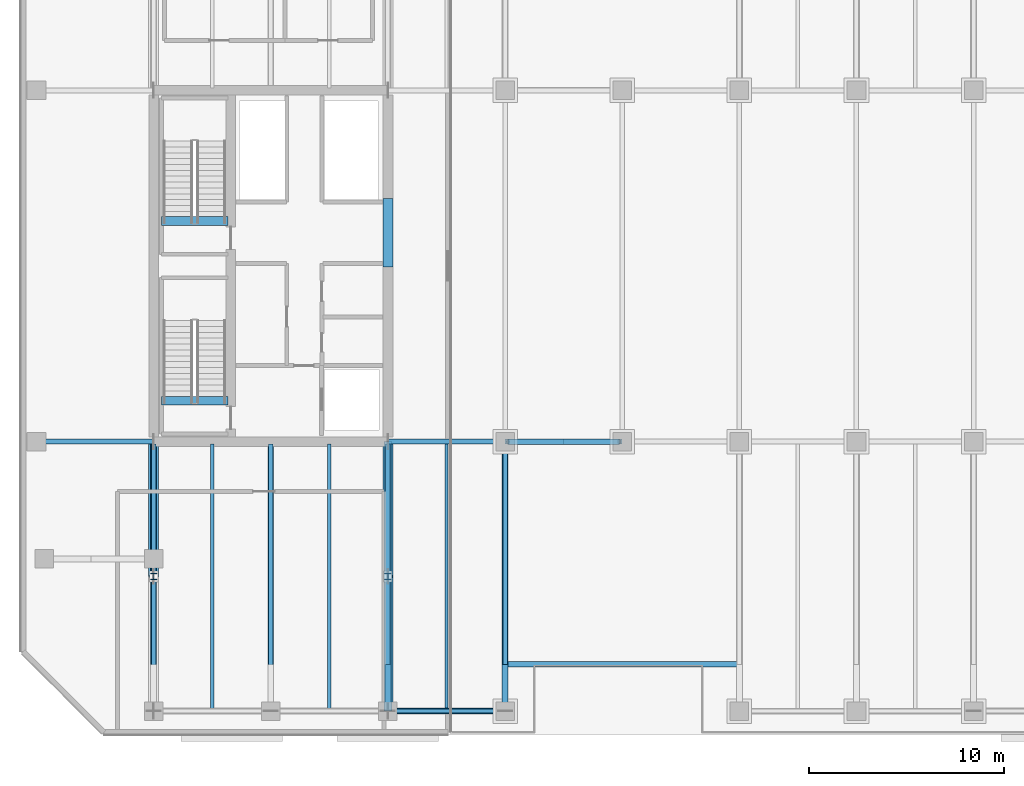
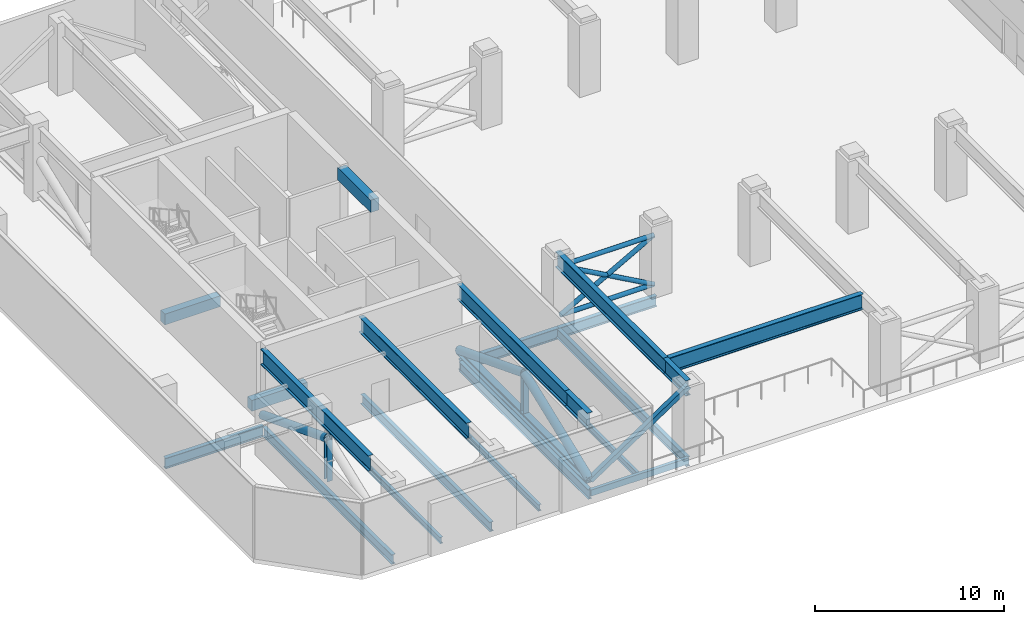
# One storey, part 2 of 21: 21 beams, 11 members.
"""IFC4 building model written with IfcOpenShell, lengths in metres."""

from ifc_helpers import new_model, si_unit, direction, frame, origin, origin_2d, place, context, subcontext, project, spatial, rectangle, hollow_rectangle, hollow_circle, i_section, extrude, material, material_profile, profile_set, type_object, element, save


model = new_model("IFC4")

# Units and contexts
model_context = context("Model", 3, precision=1e-05, world=origin(), true_north=direction((0.0, 1.0)))
body_context = subcontext(model_context, "Body", "Model", "MODEL_VIEW")
ifc_project = project(units=[si_unit("LENGTHUNIT", "METRE"), si_unit("AREAUNIT", "SQUARE_METRE"), si_unit("VOLUMEUNIT", "CUBIC_METRE"), si_unit("PLANEANGLEUNIT", "RADIAN"), si_unit("MASSUNIT", "GRAM", prefix="KILO")], contexts=[model_context])

# Site, building, storey
site_placement = place(None, origin())
site = spatial("IfcSite", under=ifc_project, at=site_placement, CompositionType="ELEMENT")
building_placement = place(site_placement, origin())
building = spatial("IfcBuilding", under=site, at=building_placement, Name="Tanjung Sevakor Pilgrim Tower", CompositionType="ELEMENT")
storey_placement = place(building_placement, frame((0.0, 0.0, 123.090087890625)))
storey = spatial("IfcBuildingStorey", under=building, at=storey_placement, Name="L34", CompositionType="ELEMENT", Elevation=123.090087890625)

# Beams
ifc_material_1 = material(Name="Steel S355J2", Category="steel")
ifc_material_profile_1 = material_profile(ifc_material_1, i_section(OverallWidth=0.25439453125, OverallDepth=0.6875, WebThickness=0.01318359375, FlangeThickness=0.02099609375, FilletRadius=0.01513671875, at=origin_2d()))
ifc_profile_set_1 = profile_set([ifc_material_profile_1], Name="Steel S355J2")
beam_type_1 = type_object("IfcBeamType", Name="BM-B-G2-UB_686x254x152", PredefinedType="BEAM", material=ifc_profile_set_1)
for number, where, z_axis, x_axis, name in (
    (1, (18.0, 24.60009765625, -0.623779296875), (1.0, 0.0, 0.0), (0.0, 1.0, 0.0), "L34 Primary Floor Girder MAIN Y246-01"),
    (2, (36.0, 24.60009765625, -0.623779296875), (1.0, 0.0, 0.0), (0.0, 1.0, 0.0), "L34 Primary Floor Girder MAIN Y246-02"),
    (3, (42.0, 24.60009765625, -0.623779296875), (1.0, 0.0, 0.0), (0.0, 1.0, 0.0), "L34 Primary Floor Girder MAIN Y246-03"),
):
    element("IfcBeam", number, at=place(storey_placement, frame(where, z_axis=z_axis, x_axis=x_axis)), inside=storey, type_object=beam_type_1, Name=name, PredefinedType="BEAM", context=body_context, shape_type="SweptSolid", body=[
        extrude(i_section(OverallWidth=0.25439453125, OverallDepth=0.6875, WebThickness=0.01318359375, FlangeThickness=0.02099609375, FilletRadius=0.01513671875, at=origin_2d()), origin(), (0.0, 0.0, 1.0), 6.0),
    ])
ifc_material_2 = material(Name="Steel S355J2", Category="steel")
ifc_material_profile_2 = material_profile(ifc_material_2, i_section(OverallWidth=0.230224609375, OverallDepth=0.6171875, WebThickness=0.01318359375, FlangeThickness=0.022216796875, FilletRadius=0.0126953125, at=origin_2d()))
ifc_profile_set_2 = profile_set([ifc_material_profile_2], Name="Steel S355J2")
beam_type_2 = type_object("IfcBeamType", Name="BM-B-G3-UB_610x229x140", PredefinedType="BEAM", material=ifc_profile_set_2)
for number, where, z_axis, x_axis, name in (
    (4, (24.0, 10.800048828125, -0.588623046875), (0.0, 1.0, 0.0), (-1.0, 0.0, 0.0), "L34 MAIN Girder 001"),
    (5, (30.0, 10.800048828125, -0.588623046875), (0.0, 1.0, 0.0), (-1.0, 0.0, 0.0), "L34 MAIN Girder 005"),
    (6, (36.0, 10.800048828125, -0.588623046875), (0.0, 1.0, 0.0), (-1.0, 0.0, 0.0), "L34 MAIN Girder 009"),
):
    element("IfcBeam", number, at=place(storey_placement, frame(where, z_axis=z_axis, x_axis=x_axis)), inside=storey, type_object=beam_type_2, Name=name, PredefinedType="BEAM", context=body_context, shape_type="SweptSolid", body=[
        extrude(i_section(OverallWidth=0.230224609375, OverallDepth=0.6171875, WebThickness=0.01318359375, FlangeThickness=0.022216796875, FilletRadius=0.0126953125, at=origin_2d()), origin(), (0.0, 0.0, 1.0), 13.672607421875),
    ])
beam_1_placement = place(storey_placement, frame((42.0, 10.800048828125, -0.588623046875), z_axis=(0.0, 1.0, 0.0), x_axis=(-1.0, 0.0, 0.0)))
element("IfcBeam", 7, at=beam_1_placement, inside=storey, type_object=beam_type_2, Name="L34 MAIN Girder 013", PredefinedType="BEAM", context=body_context, shape_type="SweptSolid", body=[
    extrude(i_section(OverallWidth=0.230224609375, OverallDepth=0.6171875, WebThickness=0.01318359375, FlangeThickness=0.022216796875, FilletRadius=0.0126953125, at=origin_2d()), origin(), (0.0, 0.0, 1.0), 13.800048828125),
])
ifc_material_3 = material(Name="Steel S460M", Category="steel")
ifc_material_profile_3 = material_profile(ifc_material_3, i_section(OverallWidth=0.302001953125, OverallDepth=1.008056640625, WebThickness=0.02099609375, FlangeThickness=0.0400390625, FilletRadius=0.030029296875, at=origin_2d()))
ifc_profile_set_3 = profile_set([ifc_material_profile_3], Name="Steel S460M")
beam_type_3 = type_object("IfcBeamType", Name="BM-B-G7-HE_1000M", PredefinedType="BEAM", material=ifc_profile_set_3)
beam_2_placement = place(storey_placement, frame((42.0, 13.199951171875, 4.166015625), z_axis=(1.0, 0.0, 0.0), x_axis=(0.0, 1.0, 0.0)))
element("IfcBeam", 8, at=beam_2_placement, inside=storey, type_object=beam_type_3, Name="L34 Setback Ring Transfer Girder S-01", PredefinedType="BEAM", context=body_context, shape_type="SweptSolid", body=[
    extrude(i_section(OverallWidth=0.302001953125, OverallDepth=1.008056640625, WebThickness=0.02099609375, FlangeThickness=0.0400390625, FilletRadius=0.030029296875, at=origin_2d()), origin(), (0.0, 0.0, 1.0), 12.0),
])
for number, where, z_axis, x_axis, name in (
    (9, (24.0, 13.199951171875, 4.166015625), (0.0, 1.0, 0.0), (-1.0, 0.0, 0.0), "L34 Setback Transfer Girder South X24-2"),
    (10, (30.0, 13.199951171875, 4.166015625), (0.0, 1.0, 0.0), (-1.0, 0.0, 0.0), "L34 Setback Transfer Girder South X30-2"),
):
    element("IfcBeam", number, at=place(storey_placement, frame(where, z_axis=z_axis, x_axis=x_axis)), inside=storey, type_object=beam_type_3, Name=name, PredefinedType="BEAM", context=body_context, shape_type="SweptSolid", body=[
        extrude(i_section(OverallWidth=0.302001953125, OverallDepth=1.008056640625, WebThickness=0.02099609375, FlangeThickness=0.0400390625, FilletRadius=0.030029296875, at=origin_2d()), origin(), (0.0, 0.0, 1.0), 11.400146484375),
    ])
beam_3_placement = place(storey_placement, frame((36.0, 10.800048828125, 4.166015625), z_axis=(0.0, 1.0, 0.0), x_axis=(-1.0, 0.0, 0.0)))
element("IfcBeam", 11, at=beam_3_placement, inside=storey, type_object=beam_type_3, Name="L34 Setback Transfer Girder South X36-1", PredefinedType="BEAM", context=body_context, shape_type="SweptSolid", body=[
    extrude(i_section(OverallWidth=0.302001953125, OverallDepth=1.008056640625, WebThickness=0.02099609375, FlangeThickness=0.0400390625, FilletRadius=0.030029296875, at=origin_2d()), origin(), (0.0, 0.0, 1.0), 2.39990234375),
])
beam_4_placement = place(storey_placement, frame((36.0, 13.199951171875, 4.166015625), z_axis=(0.0, 1.0, 0.0), x_axis=(-1.0, 0.0, 0.0)))
element("IfcBeam", 12, at=beam_4_placement, inside=storey, type_object=beam_type_3, Name="L34 Setback Transfer Girder South X36-2", PredefinedType="BEAM", context=body_context, shape_type="SweptSolid", body=[
    extrude(i_section(OverallWidth=0.302001953125, OverallDepth=1.008056640625, WebThickness=0.02099609375, FlangeThickness=0.0400390625, FilletRadius=0.030029296875, at=origin_2d()), origin(), (0.0, 0.0, 1.0), 11.400146484375),
])
beam_5_placement = place(storey_placement, frame((42.0, 10.800048828125, 4.166015625), z_axis=(0.0, 1.0, 0.0), x_axis=(-1.0, 0.0, 0.0)))
element("IfcBeam", 13, at=beam_5_placement, inside=storey, type_object=beam_type_3, Name="L34 Setback Transfer Girder South X42-1", PredefinedType="BEAM", context=body_context, shape_type="SweptSolid", body=[
    extrude(i_section(OverallWidth=0.302001953125, OverallDepth=1.008056640625, WebThickness=0.02099609375, FlangeThickness=0.0400390625, FilletRadius=0.030029296875, at=origin_2d()), origin(), (0.0, 0.0, 1.0), 2.39990234375),
])
beam_6_placement = place(storey_placement, frame((42.0, 13.199951171875, 4.166015625), z_axis=(0.0, 1.0, 0.0), x_axis=(-1.0, 0.0, 0.0)))
element("IfcBeam", 14, at=beam_6_placement, inside=storey, type_object=beam_type_3, Name="L34 Setback Transfer Girder South X42-2", PredefinedType="BEAM", context=body_context, shape_type="SweptSolid", body=[
    extrude(i_section(OverallWidth=0.302001953125, OverallDepth=1.008056640625, WebThickness=0.02099609375, FlangeThickness=0.0400390625, FilletRadius=0.030029296875, at=origin_2d()), origin(), (0.0, 0.0, 1.0), 11.400146484375),
])
ifc_material_4 = material(Name="Steel S355J2", Category="steel")
ifc_material_profile_4 = material_profile(ifc_material_4, i_section(OverallWidth=0.1787109375, OverallDepth=0.409423828125, WebThickness=0.0087890625, FlangeThickness=0.014404296875, FilletRadius=0.01025390625, at=origin_2d()))
ifc_profile_set_4 = profile_set([ifc_material_profile_4], Name="Steel S355J2")
beam_type_4 = type_object("IfcBeamType", Name="BM-B-J3-UB_406x178x67", PredefinedType="JOIST", material=ifc_profile_set_4)
for number, where, z_axis, x_axis, name in (
    (15, (27.0, 10.89990234375, -0.48486328125), (0.0, 1.0, 0.0), (-1.0, 0.0, 0.0), "L34 MAIN Joist 003"),
    (16, (33.0, 10.89990234375, -0.48486328125), (0.0, 1.0, 0.0), (-1.0, 0.0, 0.0), "L34 MAIN Joist 007"),
    (17, (39.0, 10.89990234375, -0.48486328125), (0.0, 1.0, 0.0), (-1.0, 0.0, 0.0), "L34 MAIN Joist 011"),
):
    element("IfcBeam", number, at=place(storey_placement, frame(where, z_axis=z_axis, x_axis=x_axis)), inside=storey, type_object=beam_type_4, Name=name, PredefinedType="JOIST", context=body_context, shape_type="SweptSolid", body=[
        extrude(i_section(OverallWidth=0.1787109375, OverallDepth=0.409423828125, WebThickness=0.0087890625, FlangeThickness=0.014404296875, FilletRadius=0.01025390625, at=origin_2d()), origin(), (0.0, 0.0, 1.0), 13.57275390625),
    ])
ifc_material_5 = material(Name="Concrete C60/75", Category="concrete")
ifc_material_profile_5 = material_profile(ifc_material_5, rectangle(XDim=0.5, YDim=0.800048828125, at=origin_2d()))
ifc_profile_set_5 = profile_set([ifc_material_profile_5], Name="Concrete C60/75")
beam_type_5 = type_object("IfcBeamType", Name="BM-B-LN2-RC-BM_500x800", PredefinedType="LINTEL", material=ifc_profile_set_5)
beam_7_placement = place(storey_placement, frame((36.0, 33.550048828125, 4.27001953125), z_axis=(0.0, 1.0, 0.0), x_axis=(-1.0, 0.0, 0.0)))
element("IfcBeam", 18, at=beam_7_placement, inside=storey, type_object=beam_type_5, Name="L34 W Core Coupling Lintel", PredefinedType="LINTEL", context=body_context, shape_type="SweptSolid", body=[
    extrude(rectangle(XDim=0.5, YDim=0.800048828125, at=origin_2d()), origin(), (0.0, 0.0, 1.0), 3.5),
])
ifc_material_6 = material(Name="Concrete C60/75", Category="concrete")
ifc_material_profile_6 = material_profile(ifc_material_6, rectangle(XDim=0.449951171875, YDim=0.699951171875, at=origin_2d()))
ifc_profile_set_6 = profile_set([ifc_material_profile_6], Name="Concrete C60/75")
beam_type_6 = type_object("IfcBeamType", Name="BM-B-LN3-RC-BM_450x700", PredefinedType="LINTEL", material=ifc_profile_set_6)
for number, where, z_axis, x_axis, name in (
    (19, (24.39990234375, 26.699951171875, -0.35009765625), (1.0, 0.0, 0.0), (0.0, 1.0, 0.0), "L34 TS-W1 Stair Threshold Beam"),
    (20, (24.39990234375, 35.89990234375, -0.35009765625), (1.0, 0.0, 0.0), (0.0, 1.0, 0.0), "L34 TS-W2 Stair Threshold Beam"),
):
    element("IfcBeam", number, at=place(storey_placement, frame(where, z_axis=z_axis, x_axis=x_axis)), inside=storey, type_object=beam_type_6, Name=name, PredefinedType="LINTEL", context=body_context, shape_type="SweptSolid", body=[
        extrude(rectangle(XDim=0.449951171875, YDim=0.699951171875, at=origin_2d()), origin(), (0.0, 0.0, 1.0), 3.400146484375),
    ])
ifc_material_7 = material(Name="Steel S355J2", Category="steel")
ifc_material_profile_7 = material_profile(ifc_material_7, hollow_rectangle(XDim=0.199951171875, YDim=0.39990234375, WallThickness=0.01611328125, at=origin_2d()))
ifc_profile_set_7 = profile_set([ifc_material_profile_7], Name="Steel S355J2")
beam_type_7 = type_object("IfcBeamType", Name="BM-B-SP2-RHS_400x200x16", PredefinedType="SPANDREL", material=ifc_profile_set_7)
beam_8_placement = place(storey_placement, frame((36.0, 10.800048828125, -0.47998046875), z_axis=(1.0, 0.0, 0.0), x_axis=(0.0, 1.0, 0.0)))
element("IfcBeam", 21, at=beam_8_placement, inside=storey, type_object=beam_type_7, Name="L34 Spandrel MAIN S-05", PredefinedType="SPANDREL", context=body_context, shape_type="SweptSolid", body=[
    extrude(hollow_rectangle(XDim=0.199951171875, YDim=0.39990234375, WallThickness=0.01611328125, at=origin_2d()), origin(), (0.0, 0.0, 1.0), 6.0),
])

# Members
ifc_material_8 = material(Name="Steel S460M", Category="steel")
ifc_material_profile_8 = material_profile(ifc_material_8, hollow_circle(Radius=0.25390625, WallThickness=0.02490234375, at=origin_2d()))
ifc_profile_set_8 = profile_set([ifc_material_profile_8], Name="Steel S460M")
member_type_1 = type_object("IfcMemberType", Name="MEM-M-BR3-CHS_508x25", PredefinedType="BRACE", material=ifc_profile_set_8)
member_1_placement = place(storey_placement, frame((24.0, 17.699951171875, 3.039794921875), z_axis=(0.0, 0.931705543684, -0.36321450944), x_axis=(-1.0, 0.0, 0.0)))
element("IfcMember", 22, at=member_1_placement, inside=storey, type_object=member_type_1, Name="OT-2 L34 Outrigger Truss Diagonal 2 X24 S", PredefinedType="BRACE", context=body_context, shape_type="SweptSolid", body=[
    extrude(hollow_circle(Radius=0.25390625, WallThickness=0.02490234375, at=origin_2d()), origin(), (0.0, 0.0, 1.0), 7.406005859375),
])
member_2_placement = place(storey_placement, frame((36.0, 10.800048828125, 0.349853515625), z_axis=(0.0, 0.93170119451, 0.363225665597), x_axis=(-1.0, 0.0, 0.0)))
element("IfcMember", 23, at=member_2_placement, inside=storey, type_object=member_type_1, Name="OT-2 L34 Outrigger Truss Diagonal 1 X36 S", PredefinedType="BRACE", context=body_context, shape_type="SweptSolid", body=[
    extrude(hollow_circle(Radius=0.25390625, WallThickness=0.02490234375, at=origin_2d()), origin(), (0.0, 0.0, 1.0), 7.40576171875),
])
member_3_placement = place(storey_placement, frame((36.0, 17.699951171875, 3.039794921875), z_axis=(0.0, 0.931705543684, -0.36321450944), x_axis=(-1.0, 0.0, 0.0)))
element("IfcMember", 24, at=member_3_placement, inside=storey, type_object=member_type_1, Name="OT-2 L34 Outrigger Truss Diagonal 2 X36 S", PredefinedType="BRACE", context=body_context, shape_type="SweptSolid", body=[
    extrude(hollow_circle(Radius=0.25390625, WallThickness=0.02490234375, at=origin_2d()), origin(), (0.0, 0.0, 1.0), 7.406005859375),
])
ifc_material_9 = material(Name="Steel S460M", Category="steel")
ifc_material_profile_9 = material_profile(ifc_material_9, hollow_rectangle(XDim=0.300048828125, YDim=0.300048828125, WallThickness=0.01611328125, at=origin_2d()))
ifc_profile_set_9 = profile_set([ifc_material_profile_9], Name="Steel S460M")
member_type_2 = type_object("IfcMemberType", Name="MEM-M-BR8-SHS_300x300x16", PredefinedType="BRACE", material=ifc_profile_set_9)
member_4_placement = place(storey_placement, frame((36.0, 10.800048828125, 0.349853515625), z_axis=(0.832940851568, 0.0, 0.553362031395), x_axis=(0.0, 1.0, 0.0)))
element("IfcMember", 25, at=member_4_placement, inside=storey, type_object=member_type_2, Name="BT-1 L34 Belt Truss Diagonal Brace S-03", PredefinedType="BRACE", context=body_context, shape_type="SweptSolid", body=[
    extrude(hollow_rectangle(XDim=0.300048828125, YDim=0.300048828125, WallThickness=0.01611328125, at=origin_2d()), origin(), (0.0, 0.0, 1.0), 7.203369140625),
])
ifc_material_10 = material(Name="Steel S460M", Category="steel")
ifc_material_profile_10 = material_profile(ifc_material_10, i_section(OverallWidth=0.39892578125, OverallDepth=0.3935546875, WebThickness=0.022705078125, FlangeThickness=0.03662109375, FilletRadius=0.01513671875, at=origin_2d()))
ifc_profile_set_10 = profile_set([ifc_material_profile_10], Name="Steel S460M")
member_type_3 = type_object("IfcMemberType", Name="MEM-M-CH3-UC_356x406x287", PredefinedType="CHORD", material=ifc_profile_set_10)
member_5_placement = place(storey_placement, frame((36.0, 10.800048828125, 0.349853515625), z_axis=(0.0, 1.0, 0.0), x_axis=(-1.0, 0.0, 0.0)))
element("IfcMember", 26, at=member_5_placement, inside=storey, type_object=member_type_3, Name="OT-1 L34 Outrigger Truss Chord X36 S", PredefinedType="CHORD", context=body_context, shape_type="SweptSolid", body=[
    extrude(i_section(OverallWidth=0.39892578125, OverallDepth=0.3935546875, WebThickness=0.022705078125, FlangeThickness=0.03662109375, FilletRadius=0.01513671875, at=origin_2d()), origin(), (0.0, 0.0, 1.0), 13.800048828125),
])
ifc_material_11 = material(Name="Steel S460M", Category="steel")
ifc_material_profile_11 = material_profile(ifc_material_11, i_section(OverallWidth=0.30908203125, OverallDepth=0.320556640625, WebThickness=0.013916015625, FlangeThickness=0.021728515625, FilletRadius=0.01513671875, at=origin_2d()))
ifc_profile_set_11 = profile_set([ifc_material_profile_11], Name="Steel S460M")
member_type_4 = type_object("IfcMemberType", Name="MEM-M-ST3-UC_305x305x137", PredefinedType="STRUT", material=ifc_profile_set_11)
for number, where, z_axis, x_axis, name in (
    (27, (24.0, 17.699951171875, 0.349853515625), (0.0, 0.0, 1.0), (1.0, 0.0, 0.0), "OT-3 L34 Outrigger Truss Strut X24 S"),
    (28, (36.0, 17.699951171875, 0.349853515625), (0.0, 0.0, 1.0), (1.0, 0.0, 0.0), "OT-3 L34 Outrigger Truss Strut X36 S"),
):
    element("IfcMember", number, at=place(storey_placement, frame(where, z_axis=z_axis, x_axis=x_axis)), inside=storey, type_object=member_type_4, Name=name, PredefinedType="STRUT", context=body_context, shape_type="SweptSolid", body=[
        extrude(i_section(OverallWidth=0.30908203125, OverallDepth=0.320556640625, WebThickness=0.013916015625, FlangeThickness=0.021728515625, FilletRadius=0.01513671875, at=origin_2d()), origin(), (0.0, 0.0, 1.0), 2.68994140625),
    ])
ifc_material_12 = material(Name="Steel S355J2", Category="steel")
ifc_material_profile_12 = material_profile(ifc_material_12, hollow_circle(Radius=0.136474609375, WallThickness=0.012451171875, at=origin_2d()))
ifc_profile_set_12 = profile_set([ifc_material_profile_12], Name="Steel S355J2")
member_type_5 = type_object("IfcMemberType", Name="TYPE-MB-TURBINE", PredefinedType="USERDEFINED", material=ifc_profile_set_12)
for number, where, z_axis, x_axis, name in (
    (29, (42.14990234375, 24.60009765625, 0.449951171875), (1.0, 0.0, 0.0), (0.0, 1.0, 0.0), "L34 Wind Turbine Shroud BOT WTURB-L34-S1"),
    (30, (42.14990234375, 24.60009765625, 3.619873046875), (1.0, 0.0, 0.0), (0.0, 1.0, 0.0), "L34 Wind Turbine Shroud TOP WTURB-L34-S1"),
):
    element("IfcMember", number, at=place(storey_placement, frame(where, z_axis=z_axis, x_axis=x_axis)), inside=storey, type_object=member_type_5, Name=name, ObjectType="TURBINE_FRAME", PredefinedType="USERDEFINED", context=body_context, shape_type="SweptSolid", body=[
        extrude(hollow_circle(Radius=0.136474609375, WallThickness=0.012451171875, at=origin_2d()), origin(), (0.0, 0.0, 1.0), 5.7001953125),
    ])
for number, where, z_axis, x_axis, name in (
    (31, (42.14990234375, 24.60009765625, 0.449951171875), (0.87395238411, 0.0, 0.486011553678), (0.0, 1.0, 0.0), "L34 Wind Turbine Shroud BL1 WTURB-L34-S1"),
    (32, (42.14990234375, 24.60009765625, 3.619873046875), (0.87395238411, 0.0, -0.486011553678), (0.0, 1.0, 0.0), "L34 Wind Turbine Shroud BL2 WTURB-L34-S1"),
):
    element("IfcMember", number, at=place(storey_placement, frame(where, z_axis=z_axis, x_axis=x_axis)), inside=storey, type_object=member_type_5, Name=name, ObjectType="TURBINE_FRAME", PredefinedType="USERDEFINED", context=body_context, shape_type="SweptSolid", body=[
        extrude(hollow_circle(Radius=0.136474609375, WallThickness=0.012451171875, at=origin_2d()), origin(), (0.0, 0.0, 1.0), 6.522216796875),
    ])

save(model, "model.ifc")
